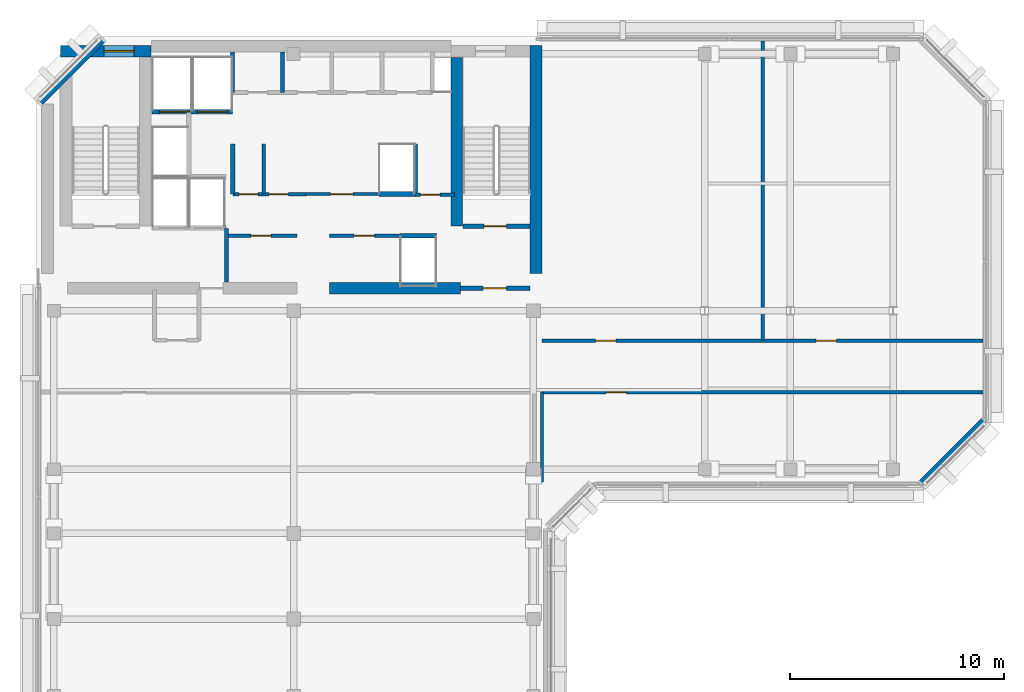
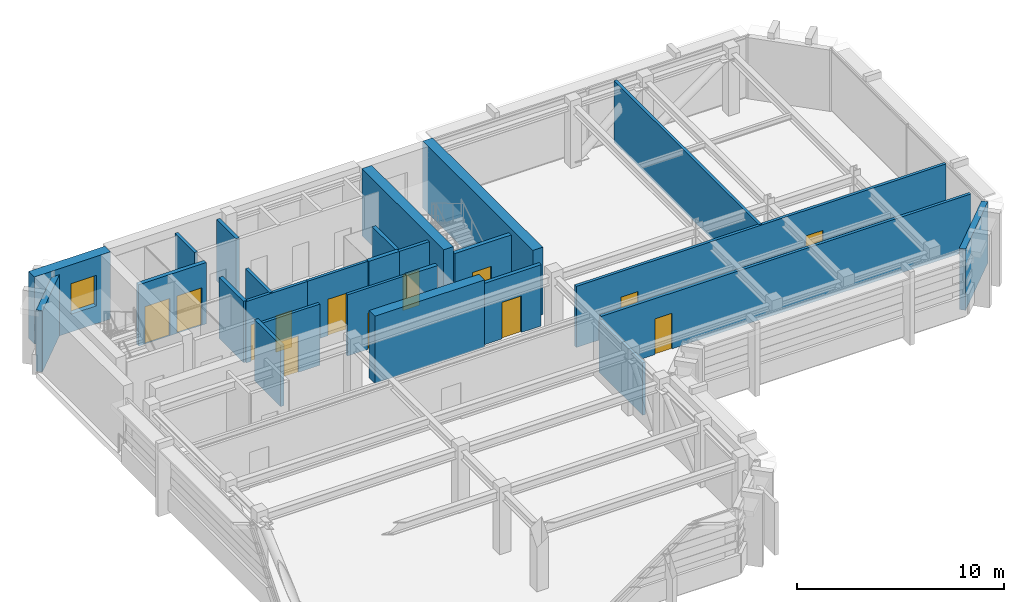
# One storey, part 5 of 9: 26 walls, 13 doors, 1 window, 14 openings.
"""IFC4 building model written with IfcOpenShell, lengths in metres."""

from ifc_helpers import new_model, si_unit, direction, frame, frame_2d, origin, place, context, subcontext, project, spatial, rectangle, extrude, material, layer, layer_set, type_object, element, fill, save


model = new_model("IFC4")

# Units and contexts
model_context = context("Model", 3, precision=1e-05, world=origin(), true_north=direction((0.0, 1.0)))
body_context = subcontext(model_context, "Body", "Model", "MODEL_VIEW")
ifc_project = project(units=[si_unit("LENGTHUNIT", "METRE"), si_unit("AREAUNIT", "SQUARE_METRE"), si_unit("VOLUMEUNIT", "CUBIC_METRE"), si_unit("PLANEANGLEUNIT", "RADIAN"), si_unit("MASSUNIT", "GRAM", prefix="KILO")], contexts=[model_context])

# Site, building, storey
site_placement = place(None, origin())
site = spatial("IfcSite", under=ifc_project, at=site_placement, CompositionType="ELEMENT")
building_placement = place(site_placement, origin())
building = spatial("IfcBuilding", under=site, at=building_placement, Name="Kefirva Bronze Tower", CompositionType="ELEMENT")
storey_placement = place(building_placement, frame((0.0, 0.0, 365.969970703125)))
storey = spatial("IfcBuildingStorey", under=building, at=storey_placement, Name="L89", CompositionType="ELEMENT", Elevation=365.969970703125)

# Wall, opening, door
ifc_material_1 = material(Name="Gypsum acoustic partition")
ifc_layer_1 = layer(ifc_material_1, 0.14990234375, Name="Gypsum acoustic partition")
ifc_layer_set_1 = layer_set([ifc_layer_1], Name="Gypsum acoustic partition")
wall_type_1 = type_object("IfcWallType", Name="Executive Suite Partition 150mm", PredefinedType="PARTITIONING", material=ifc_layer_set_1)
wall_1_placement = place(storey_placement, frame((13.679931640625, 36.699951171875, 0.0), z_axis=(0.0, 0.0, 1.0), x_axis=(1.0, 0.0, 0.0)))
wall_1 = element("IfcWall", 1, at=wall_1_placement, inside=storey, type_object=wall_type_1, Name="L89 Partition W-L89-RECMP1", PredefinedType="PARTITIONING", context=body_context, shape_type="SweptSolid", body=[
    extrude(rectangle(XDim=3.280029296875, YDim=0.14990234375, at=frame_2d((1.64013671875, 0.0))), origin(), (0.0, 0.0, 1.0), 3.610107421875),
])
opening_1_placement = place(wall_1_placement, frame((1.14990234375, 0.0, 0.0)))
opening_1 = element("IfcOpeningElement", 2, at=opening_1_placement, cuts=wall_1, Name="Opening L89-D-RECMP1", PredefinedType="OPENING", context=body_context, shape_type="SweptSolid", body=[
    extrude(rectangle(XDim=0.949951171875, YDim=2.14990234375, at=frame_2d((0.47509765625, 1.074951171875))), frame((0.0, 0.0849609375, 0.0), z_axis=(0.0, -1.0, 0.0), x_axis=(1.0, 0.0, 0.0)), (0.0, 0.0, 1.0), 0.169921875),
])
ifc_material_2 = material(Name="Acoustic hardwood oak", Category="wood")
door_type_1 = type_object("IfcDoorType", Name="Office & Meeting Room Door 950x2150", OperationType="NOTDEFINED", PredefinedType="DOOR", material=ifc_material_2)
door_1_placement = place(opening_1_placement, origin())
door_1 = element("IfcDoor", 3, at=door_1_placement, inside=storey, type_object=door_type_1, Name="Door L89-D-RECMP1", OperationType="SINGLE_SWING_RIGHT", OverallHeight=2.14990234375, OverallWidth=0.949951171875, PredefinedType="DOOR", context=body_context, shape_type="SweptSolid", body=[
    extrude(rectangle(XDim=0.949951171875, YDim=2.14990234375, at=frame_2d((0.47509765625, 1.074951171875))), frame((0.0, 0.02490234375, 0.0), z_axis=(0.0, -1.0, 0.0), x_axis=(1.0, 0.0, 0.0)), (0.0, 0.0, 1.0), 0.050048828125),
])
fill(opening_1, door_1)

wall_2_placement = place(storey_placement, frame((12.580078125, 38.64990234375, 0.0), z_axis=(0.0, 0.0, 1.0), x_axis=(1.0, 0.0, 0.0)))
wall_2 = element("IfcWall", 4, at=wall_2_placement, inside=storey, type_object=wall_type_1, Name="L89 Partition W-L89-RECMP2", PredefinedType="PARTITIONING", context=body_context, shape_type="SweptSolid", body=[
    extrude(rectangle(XDim=3.3798828125, YDim=0.14990234375, at=frame_2d((1.68994140625, 0.0))), origin(), (0.0, 0.0, 1.0), 3.610107421875),
])
opening_2_placement = place(wall_2_placement, frame((2.199951171875, 0.0, 0.0), z_axis=(0.0, 0.0, 1.0), x_axis=(-1.0, 0.0, 0.0)))
opening_2 = element("IfcOpeningElement", 5, at=opening_2_placement, cuts=wall_2, Name="Opening L89-D-RECMP2", PredefinedType="OPENING", context=body_context, shape_type="SweptSolid", body=[
    extrude(rectangle(XDim=1.050048828125, YDim=2.14990234375, at=frame_2d((0.52490234375, 1.074951171875))), frame((0.0, 0.0849609375, 0.0), z_axis=(0.0, -1.0, 0.0), x_axis=(1.0, 0.0, 0.0)), (0.0, 0.0, 1.0), 0.169921875),
])
door_type_2 = type_object("IfcDoorType", Name="Executive & Boardroom Door 1050x2150", OperationType="NOTDEFINED", PredefinedType="DOOR", material=ifc_material_2)
door_2_placement = place(opening_2_placement, origin())
door_2 = element("IfcDoor", 6, at=door_2_placement, inside=storey, type_object=door_type_2, Name="Door L89-D-RECMP2", OperationType="SINGLE_SWING_LEFT", OverallHeight=2.14990234375, OverallWidth=1.050048828125, PredefinedType="DOOR", context=body_context, shape_type="SweptSolid", body=[
    extrude(rectangle(XDim=1.050048828125, YDim=2.14990234375, at=frame_2d((0.52490234375, 1.074951171875))), frame((0.0, 0.02490234375, 0.0), z_axis=(0.0, -1.0, 0.0), x_axis=(1.0, 0.0, 0.0)), (0.0, 0.0, 1.0), 0.050048828125),
])
fill(opening_2, door_2)

ifc_material_3 = material(Name="Gypsum fireboard shaftwall")
ifc_layer_2 = layer(ifc_material_3, 0.219970703125, Name="Gypsum fireboard shaftwall")
ifc_layer_set_2 = layer_set([ifc_layer_2], Name="Gypsum fireboard shaftwall")
wall_type_2 = type_object("IfcWallType", Name="Fire-Rated Shaft Enclosure Wall 220mm", PredefinedType="PARTITIONING", material=ifc_layer_set_2)
wall_3_placement = place(storey_placement, frame((19.89990234375, 37.14990234375, 0.0), z_axis=(0.0, 0.0, 1.0), x_axis=(1.0, 0.0, 0.0)))
wall_3 = element("IfcWall", 7, at=wall_3_placement, inside=storey, type_object=wall_type_2, Name="L89 Partition W-L89-ST2S", PredefinedType="PARTITIONING", context=body_context, shape_type="SweptSolid", body=[
    extrude(rectangle(XDim=3.150146484375, YDim=0.219970703125, at=frame_2d((1.5751953125, 0.0))), origin(), (0.0, 0.0, 1.0), 3.610107421875),
])
opening_3_placement = place(wall_3_placement, frame((2.050048828125, 0.0, 0.0), z_axis=(0.0, 0.0, 1.0), x_axis=(-1.0, 0.0, 0.0)))
opening_3 = element("IfcOpeningElement", 8, at=opening_3_placement, cuts=wall_3, Name="Opening L89-D003", PredefinedType="OPENING", context=body_context, shape_type="SweptSolid", body=[
    extrude(rectangle(XDim=1.050048828125, YDim=2.14990234375, at=frame_2d((0.52490234375, 1.074951171875))), frame((0.0, 0.1201171875, 0.0), z_axis=(0.0, -1.0, 0.0), x_axis=(1.0, 0.0, 0.0)), (0.0, 0.0, 1.0), 0.239990234375),
])
ifc_material_4 = material(Name="Painted galvanized steel", Category="steel")
door_type_3 = type_object("IfcDoorType", Name="Fire Stair Enclosure Door 1050x2150 FD90S", OperationType="NOTDEFINED", PredefinedType="DOOR", material=ifc_material_4)
door_3_placement = place(opening_3_placement, origin())
door_3 = element("IfcDoor", 9, at=door_3_placement, inside=storey, type_object=door_type_3, Name="Door L89-D003", OperationType="SINGLE_SWING_LEFT", OverallHeight=2.14990234375, OverallWidth=1.050048828125, PredefinedType="DOOR", context=body_context, shape_type="SweptSolid", body=[
    extrude(rectangle(XDim=1.050048828125, YDim=2.14990234375, at=frame_2d((0.52490234375, 1.074951171875))), frame((0.0, 0.02490234375, 0.0), z_axis=(0.0, -1.0, 0.0), x_axis=(1.0, 0.0, 0.0)), (0.0, 0.0, 1.0), 0.050048828125),
])
fill(opening_3, door_3)

# Wall, openings, doors
wall_4_placement = place(storey_placement, frame((5.3798828125, 42.5, 0.0), z_axis=(0.0, 0.0, 1.0), x_axis=(1.0, 0.0, 0.0)))
wall_4 = element("IfcWall", 10, at=wall_4_placement, inside=storey, type_object=wall_type_2, Name="L89 Partition W-L89-SVS", PredefinedType="PARTITIONING", context=body_context, shape_type="SweptSolid", body=[
    extrude(rectangle(XDim=3.77001953125, YDim=0.219970703125, at=frame_2d((1.885009765625, 0.0))), origin(), (0.0, 0.0, 1.0), 3.610107421875),
])
opening_4_placement = place(wall_4_placement, frame((1.75, 0.0, 0.0), z_axis=(0.0, 0.0, 1.0), x_axis=(-1.0, 0.0, 0.0)))
opening_4 = element("IfcOpeningElement", 11, at=opening_4_placement, cuts=wall_4, Name="Opening L89-LD-SV1", PredefinedType="OPENING", context=body_context, shape_type="SweptSolid", body=[
    extrude(rectangle(XDim=1.39990234375, YDim=2.199951171875, at=frame_2d((0.699951171875, 1.10009765625))), frame((0.0, 0.1201171875, 0.0), z_axis=(0.0, -1.0, 0.0), x_axis=(1.0, 0.0, 0.0)), (0.0, 0.0, 1.0), 0.239990234375),
])
opening_5_placement = place(wall_4_placement, frame((3.52978515625, 0.0, 0.0), z_axis=(0.0, 0.0, 1.0), x_axis=(-1.0, 0.0, 0.0)))
opening_5 = element("IfcOpeningElement", 12, at=opening_5_placement, cuts=wall_4, Name="Opening L89-LD-SV2", PredefinedType="OPENING", context=body_context, shape_type="SweptSolid", body=[
    extrude(rectangle(XDim=1.39990234375, YDim=2.199951171875, at=frame_2d((0.699951171875, 1.10009765625))), frame((0.0, 0.1201171875, 0.0), z_axis=(0.0, -1.0, 0.0), x_axis=(1.0, 0.0, 0.0)), (0.0, 0.0, 1.0), 0.239990234375),
])
ifc_material_5 = material(Name="Stainless steel 316", Category="steel")
door_type_4 = type_object("IfcDoorType", Name="Goods Lift Bi-Parting Sliding Door 1400x2200", OperationType="SLIDING_TO_LEFT", PredefinedType="DOOR", material=ifc_material_5)
door_4_placement = place(opening_4_placement, origin())
door_4 = element("IfcDoor", 13, at=door_4_placement, inside=storey, type_object=door_type_4, Name="Door L89-LD-SV1", OperationType="SLIDING_TO_LEFT", OverallHeight=2.199951171875, OverallWidth=1.39990234375, PredefinedType="DOOR", context=body_context, shape_type="SweptSolid", body=[
    extrude(rectangle(XDim=1.39990234375, YDim=2.199951171875, at=frame_2d((0.699951171875, 1.10009765625))), frame((0.0, 0.02490234375, 0.0), z_axis=(0.0, -1.0, 0.0), x_axis=(1.0, 0.0, 0.0)), (0.0, 0.0, 1.0), 0.050048828125),
])
fill(opening_4, door_4)
door_5_placement = place(opening_5_placement, origin())
door_5 = element("IfcDoor", 14, at=door_5_placement, inside=storey, type_object=door_type_4, Name="Door L89-LD-SV2", OperationType="SLIDING_TO_LEFT", OverallHeight=2.199951171875, OverallWidth=1.39990234375, PredefinedType="DOOR", context=body_context, shape_type="SweptSolid", body=[
    extrude(rectangle(XDim=1.39990234375, YDim=2.199951171875, at=frame_2d((0.699951171875, 1.10009765625))), frame((0.0, 0.02490234375, 0.0), z_axis=(0.0, -1.0, 0.0), x_axis=(1.0, 0.0, 0.0)), (0.0, 0.0, 1.0), 0.050048828125),
])
fill(opening_5, door_5)

# Walls
for number, where, z_axis, x_axis, name in (
    (15, (9.159912109375, 38.64990234375, 0.0), (0.0, 0.0, 1.0), (0.0, 1.0, 0.0), "L89 Partition W-L89-LP3W"),
    (16, (17.679931640625, 38.64990234375, 0.0), (0.0, 0.0, 1.0), (0.0, 1.0, 0.0), "L89 Partition W-L89-HP2E"),
):
    element("IfcWall", number, at=place(storey_placement, frame(where, z_axis=z_axis, x_axis=x_axis)), inside=storey, type_object=wall_type_2, Name=name, PredefinedType="PARTITIONING", context=body_context, shape_type="SweptSolid", body=[
        extrude(rectangle(XDim=2.35009765625, YDim=0.199951171875, at=frame_2d((1.175048828125, 0.0))), origin(), (0.0, 0.0, 1.0), 3.610107421875),
    ])
wall_5_placement = place(storey_placement, frame((16.97998046875, 36.699951171875, 0.0), z_axis=(0.0, 0.0, 1.0), x_axis=(1.0, 0.0, 0.0)))
element("IfcWall", 17, at=wall_5_placement, inside=storey, type_object=wall_type_2, Name="L89 Partition W-L89-HPS", PredefinedType="PARTITIONING", context=body_context, shape_type="SweptSolid", body=[
    extrude(rectangle(XDim=1.699951171875, YDim=0.219970703125, at=frame_2d((0.85009765625, 0.0))), origin(), (0.0, 0.0, 1.0), 3.610107421875),
])
wall_6_placement = place(storey_placement, frame((15.97998046875, 38.64990234375, 0.0), z_axis=(0.0, 0.0, 1.0), x_axis=(1.0, 0.0, 0.0)))
element("IfcWall", 18, at=wall_6_placement, inside=storey, type_object=wall_type_2, Name="L89 Partition W-L89-HPN", PredefinedType="PARTITIONING", context=body_context, shape_type="SweptSolid", body=[
    extrude(rectangle(XDim=1.719970703125, YDim=0.219970703125, at=frame_2d((0.85986328125, 0.0))), origin(), (0.0, 0.0, 1.0), 3.610107421875),
])
ifc_material_6 = material(Name="Gypsum fireboard barrier")
ifc_layer_3 = layer(ifc_material_6, 0.199951171875, Name="Gypsum fireboard barrier")
ifc_layer_set_3 = layer_set([ifc_layer_3], Name="Gypsum fireboard barrier")
wall_type_3 = type_object("IfcWallType", Name="Firefighting Lobby Barrier Wall 200mm", PredefinedType="PARTITIONING", material=ifc_layer_set_3)
wall_7_placement = place(storey_placement, frame((8.860107421875, 34.550048828125, 0.0), z_axis=(0.0, 0.0, 1.0), x_axis=(0.0, 1.0, 0.0)))
element("IfcWall", 19, at=wall_7_placement, inside=storey, type_object=wall_type_3, Name="L89 Partition W-L89-FFLE", PredefinedType="PARTITIONING", context=body_context, shape_type="SweptSolid", body=[
    extrude(rectangle(XDim=2.5, YDim=0.199951171875, at=frame_2d((1.25, 0.0))), origin(), (0.0, 0.0, 1.0), 3.610107421875),
])

# Wall, opening, door
wall_8_placement = place(storey_placement, frame((19.800048828125, 34.25, 0.0), z_axis=(0.0, 0.0, 1.0), x_axis=(1.0, 0.0, 0.0)))
wall_8 = element("IfcWall", 20, at=wall_8_placement, inside=storey, type_object=wall_type_3, Name="L89 Partition W-L89-ST2F", PredefinedType="PARTITIONING", context=body_context, shape_type="SweptSolid", body=[
    extrude(rectangle(XDim=3.25, YDim=0.199951171875, at=frame_2d((1.625, 0.0))), origin(), (0.0, 0.0, 1.0), 3.610107421875),
])
opening_6_placement = place(wall_8_placement, frame((2.150146484375, 0.0, 0.0), z_axis=(0.0, 0.0, 1.0), x_axis=(-1.0, 0.0, 0.0)))
opening_6 = element("IfcOpeningElement", 21, at=opening_6_placement, cuts=wall_8, Name="Opening L89-D004", PredefinedType="OPENING", context=body_context, shape_type="SweptSolid", body=[
    extrude(rectangle(XDim=1.10009765625, YDim=2.14990234375, at=frame_2d((0.550048828125, 1.074951171875))), frame((0.0, 0.10986328125, 0.0), z_axis=(0.0, -1.0, 0.0), x_axis=(1.0, 0.0, 0.0)), (0.0, 0.0, 1.0), 0.219970703125),
])
door_type_5 = type_object("IfcDoorType", Name="Firefighting Lobby Smoke Door 1100x2150 FD60S", OperationType="NOTDEFINED", PredefinedType="DOOR", material=ifc_material_4)
door_6_placement = place(opening_6_placement, origin())
door_6 = element("IfcDoor", 22, at=door_6_placement, inside=storey, type_object=door_type_5, Name="Door L89-D004", OperationType="SINGLE_SWING_RIGHT", OverallHeight=2.14990234375, OverallWidth=1.10009765625, PredefinedType="DOOR", context=body_context, shape_type="SweptSolid", body=[
    extrude(rectangle(XDim=1.10009765625, YDim=2.14990234375, at=frame_2d((0.550048828125, 1.074951171875))), frame((0.0, 0.02490234375, 0.0), z_axis=(0.0, -1.0, 0.0), x_axis=(1.0, 0.0, 0.0)), (0.0, 0.0, 1.0), 0.050048828125),
])
fill(opening_6, door_6)

wall_9_placement = place(storey_placement, frame((17.679931640625, 38.6201171875, 0.0), z_axis=(0.0, 0.0, 1.0), x_axis=(1.0, 0.0, 0.0)))
wall_9 = element("IfcWall", 23, at=wall_9_placement, inside=storey, type_object=wall_type_3, Name="L89 Partition W-L89-CPASS", PredefinedType="PARTITIONING", context=body_context, shape_type="SweptSolid", body=[
    extrude(rectangle(XDim=1.840087890625, YDim=0.179931640625, at=frame_2d((0.919921875, 0.0))), origin(), (0.0, 0.0, 1.0), 3.610107421875),
])
opening_7_placement = place(wall_9_placement, frame((0.239990234375, 0.0, 0.0)))
opening_7 = element("IfcOpeningElement", 24, at=opening_7_placement, cuts=wall_9, Name="Opening L89-D-CPAS", PredefinedType="OPENING", context=body_context, shape_type="SweptSolid", body=[
    extrude(rectangle(XDim=0.919921875, YDim=2.10009765625, at=frame_2d((0.4599609375, 1.050048828125))), frame((0.0, 0.10009765625, 0.0), z_axis=(0.0, -1.0, 0.0), x_axis=(1.0, 0.0, 0.0)), (0.0, 0.0, 1.0), 0.199951171875),
])
ifc_material_7 = material(Name="Moisture-resistant timber", Category="wood")
door_type_6 = type_object("IfcDoorType", Name="Accessible Sanitary & WC Door 920x2100", OperationType="NOTDEFINED", PredefinedType="DOOR", material=ifc_material_7)
door_7_placement = place(opening_7_placement, origin())
door_7 = element("IfcDoor", 25, at=door_7_placement, inside=storey, type_object=door_type_6, Name="Door L89-D-CPAS", OperationType="SINGLE_SWING_LEFT", OverallHeight=2.10009765625, OverallWidth=0.919921875, PredefinedType="DOOR", context=body_context, shape_type="SweptSolid", body=[
    extrude(rectangle(XDim=0.919921875, YDim=2.10009765625, at=frame_2d((0.4599609375, 1.050048828125))), frame((0.0, 0.02490234375, 0.0), z_axis=(0.0, -1.0, 0.0), x_axis=(1.0, 0.0, 0.0)), (0.0, 0.0, 1.0), 0.050048828125),
])
fill(opening_7, door_7)

# Walls
ifc_material_8 = material(Name="Precast concrete C40/50", Category="concrete")
ifc_layer_4 = layer(ifc_material_8, 0.320068359375, Name="Precast concrete C40/50")
ifc_layer_set_4 = layer_set([ifc_layer_4], Name="Precast concrete C40/50")
wall_type_4 = type_object("IfcWallType", Name="Precast Insulated Exterior Wall 320mm", PredefinedType="SOLIDWALL", material=ifc_layer_set_4)
for number, where, z_axis, x_axis, name in (
    (26, (41.32568359375, 25.152099609375, 0.0), (0.0, 0.0, 1.0), (0.707136318428, 0.707077242712, 0.0), "L89 Exterior Facade Wall 4"),
    (27, (3.07421875, 45.847900390625, 0.0), (0.0, 0.0, 1.0), (-0.707106781187, -0.707106781187, 0.0), "L89 Exterior Facade Wall 6"),
):
    element("IfcWall", number, at=place(storey_placement, frame(where, z_axis=z_axis, x_axis=x_axis)), inside=storey, type_object=wall_type_4, Name=name, PredefinedType="SOLIDWALL", context=body_context, shape_type="SweptSolid", body=[
        extrude(rectangle(XDim=4.132568359375, YDim=0.320068359375, at=frame_2d((2.06640625, 0.0))), origin(), (0.0, 0.0, 1.0), 3.610107421875),
    ])

# Wall, opening, door
ifc_layer_5 = layer(ifc_material_1, 0.159912109375, Name="Gypsum acoustic partition")
ifc_layer_set_5 = layer_set([ifc_layer_5], Name="Gypsum acoustic partition")
wall_type_5 = type_object("IfcWallType", Name="Protected Corridor Partition 160mm", PredefinedType="PARTITIONING", material=ifc_layer_set_5)
wall_10_placement = place(storey_placement, frame((8.89990234375, 36.699951171875, 0.0), z_axis=(0.0, 0.0, 1.0), x_axis=(1.0, 0.0, 0.0)))
wall_10 = element("IfcWall", 28, at=wall_10_placement, inside=storey, type_object=wall_type_5, Name="L89 Partition W-L89-RECLP1", PredefinedType="PARTITIONING", context=body_context, shape_type="SweptSolid", body=[
    extrude(rectangle(XDim=3.25, YDim=0.159912109375, at=frame_2d((1.625, 0.0))), origin(), (0.0, 0.0, 1.0), 3.610107421875),
])
opening_8_placement = place(wall_10_placement, frame((1.10009765625, 0.0, 0.0)))
opening_8 = element("IfcOpeningElement", 29, at=opening_8_placement, cuts=wall_10, Name="Opening L89-D-RECLP1", PredefinedType="OPENING", context=body_context, shape_type="SweptSolid", body=[
    extrude(rectangle(XDim=0.949951171875, YDim=2.14990234375, at=frame_2d((0.47509765625, 1.074951171875))), frame((0.0, 0.08984375, 0.0), z_axis=(0.0, -1.0, 0.0), x_axis=(1.0, 0.0, 0.0)), (0.0, 0.0, 1.0), 0.179931640625),
])
door_8_placement = place(opening_8_placement, origin())
door_8 = element("IfcDoor", 30, at=door_8_placement, inside=storey, type_object=door_type_1, Name="Door L89-D-RECLP1", OperationType="SINGLE_SWING_LEFT", OverallHeight=2.14990234375, OverallWidth=0.949951171875, PredefinedType="DOOR", context=body_context, shape_type="SweptSolid", body=[
    extrude(rectangle(XDim=0.949951171875, YDim=2.14990234375, at=frame_2d((0.47509765625, 1.074951171875))), frame((0.0, 0.02490234375, 0.0), z_axis=(0.0, -1.0, 0.0), x_axis=(1.0, 0.0, 0.0)), (0.0, 0.0, 1.0), 0.050048828125),
])
fill(opening_8, door_8)

# Wall, openings, doors
wall_11_placement = place(storey_placement, frame((9.159912109375, 38.64990234375, 0.0), z_axis=(0.0, 0.0, 1.0), x_axis=(1.0, 0.0, 0.0)))
wall_11 = element("IfcWall", 31, at=wall_11_placement, inside=storey, type_object=wall_type_5, Name="L89 Partition W-L89-RECLP2", PredefinedType="PARTITIONING", context=body_context, shape_type="SweptSolid", body=[
    extrude(rectangle(XDim=3.420166015625, YDim=0.159912109375, at=frame_2d((1.7099609375, 0.0))), origin(), (0.0, 0.0, 1.0), 3.610107421875),
])
opening_9_placement = place(wall_11_placement, frame((1.179931640625, 0.0, 0.0), z_axis=(0.0, 0.0, 1.0), x_axis=(-1.0, 0.0, 0.0)))
opening_9 = element("IfcOpeningElement", 32, at=opening_9_placement, cuts=wall_11, Name="Opening L89-D-RECLP2A", PredefinedType="OPENING", context=body_context, shape_type="SweptSolid", body=[
    extrude(rectangle(XDim=0.89990234375, YDim=2.14990234375, at=frame_2d((0.449951171875, 1.074951171875))), frame((0.0, 0.08984375, 0.0), z_axis=(0.0, -1.0, 0.0), x_axis=(1.0, 0.0, 0.0)), (0.0, 0.0, 1.0), 0.179931640625),
])
opening_10_placement = place(wall_11_placement, frame((2.599853515625, 0.0, 0.0), z_axis=(0.0, 0.0, 1.0), x_axis=(-1.0, 0.0, 0.0)))
opening_10 = element("IfcOpeningElement", 33, at=opening_10_placement, cuts=wall_11, Name="Opening L89-D-RECLP2B", PredefinedType="OPENING", context=body_context, shape_type="SweptSolid", body=[
    extrude(rectangle(XDim=0.89990234375, YDim=2.14990234375, at=frame_2d((0.449951171875, 1.074951171875))), frame((0.0, 0.08984375, 0.0), z_axis=(0.0, -1.0, 0.0), x_axis=(1.0, 0.0, 0.0)), (0.0, 0.0, 1.0), 0.179931640625),
])
door_type_7 = type_object("IfcDoorType", Name="Core Archive & Server Fire Door 900x2150 FD60S", OperationType="NOTDEFINED", PredefinedType="DOOR", material=ifc_material_4)
door_9_placement = place(opening_9_placement, origin())
door_9 = element("IfcDoor", 34, at=door_9_placement, inside=storey, type_object=door_type_7, Name="Door L89-D-RECLP2A", OperationType="SINGLE_SWING_RIGHT", OverallHeight=2.14990234375, OverallWidth=0.89990234375, PredefinedType="DOOR", context=body_context, shape_type="SweptSolid", body=[
    extrude(rectangle(XDim=0.89990234375, YDim=2.14990234375, at=frame_2d((0.449951171875, 1.074951171875))), frame((0.0, 0.02490234375, 0.0), z_axis=(0.0, -1.0, 0.0), x_axis=(1.0, 0.0, 0.0)), (0.0, 0.0, 1.0), 0.050048828125),
])
fill(opening_9, door_9)
door_10_placement = place(opening_10_placement, origin())
door_10 = element("IfcDoor", 35, at=door_10_placement, inside=storey, type_object=door_type_7, Name="Door L89-D-RECLP2B", OperationType="SINGLE_SWING_LEFT", OverallHeight=2.14990234375, OverallWidth=0.89990234375, PredefinedType="DOOR", context=body_context, shape_type="SweptSolid", body=[
    extrude(rectangle(XDim=0.89990234375, YDim=2.14990234375, at=frame_2d((0.449951171875, 1.074951171875))), frame((0.0, 0.02490234375, 0.0), z_axis=(0.0, -1.0, 0.0), x_axis=(1.0, 0.0, 0.0)), (0.0, 0.0, 1.0), 0.050048828125),
])
fill(opening_10, door_10)

# Wall
wall_12_placement = place(storey_placement, frame((10.60009765625, 38.64990234375, 0.0), z_axis=(0.0, 0.0, 1.0), x_axis=(0.0, 1.0, 0.0)))
element("IfcWall", 36, at=wall_12_placement, inside=storey, type_object=wall_type_5, Name="L89 Partition W-L89-RECLP2D", PredefinedType="PARTITIONING", context=body_context, shape_type="SweptSolid", body=[
    extrude(rectangle(XDim=2.35009765625, YDim=0.159912109375, at=frame_2d((1.175048828125, 0.0))), origin(), (0.0, 0.0, 1.0), 3.610107421875),
])

# Wall, openings, doors
wall_13_placement = place(storey_placement, frame((23.60009765625, 31.800048828125, 0.0), z_axis=(0.0, 0.0, 1.0), x_axis=(1.0, 0.0, 0.0)))
wall_13 = element("IfcWall", 37, at=wall_13_placement, inside=storey, type_object=wall_type_5, Name="L89 Partition W-L89-PLTE", PredefinedType="PARTITIONING", context=body_context, shape_type="SweptSolid", body=[
    extrude(rectangle(XDim=20.60986328125, YDim=0.159912109375, at=frame_2d((10.304931640625, 0.0))), origin(), (0.0, 0.0, 1.0), 3.610107421875),
])
opening_11_placement = place(wall_13_placement, frame((2.5, 0.0, 0.0)))
opening_11 = element("IfcOpeningElement", 38, at=opening_11_placement, cuts=wall_13, Name="Opening L89-D-AHU", PredefinedType="OPENING", context=body_context, shape_type="SweptSolid", body=[
    extrude(rectangle(XDim=0.949951171875, YDim=2.10009765625, at=frame_2d((0.47509765625, 1.050048828125))), frame((0.0, 0.08984375, 0.0), z_axis=(0.0, -1.0, 0.0), x_axis=(1.0, 0.0, 0.0)), (0.0, 0.0, 1.0), 0.179931640625),
])
opening_12_placement = place(wall_13_placement, frame((12.804931640625, 0.0, 0.0)))
opening_12 = element("IfcOpeningElement", 39, at=opening_12_placement, cuts=wall_13, Name="Opening L89-D-ELP", PredefinedType="OPENING", context=body_context, shape_type="SweptSolid", body=[
    extrude(rectangle(XDim=0.949951171875, YDim=2.10009765625, at=frame_2d((0.47509765625, 1.050048828125))), frame((0.0, 0.08984375, 0.0), z_axis=(0.0, -1.0, 0.0), x_axis=(1.0, 0.0, 0.0)), (0.0, 0.0, 1.0), 0.179931640625),
])
door_type_8 = type_object("IfcDoorType", Name="Riser & Plant Shaft Fire Door 950x2100 FD60S", OperationType="NOTDEFINED", PredefinedType="DOOR", material=ifc_material_4)
door_11_placement = place(opening_11_placement, origin())
door_11 = element("IfcDoor", 40, at=door_11_placement, inside=storey, type_object=door_type_8, Name="Door L89-D-AHU", OperationType="SINGLE_SWING_RIGHT", OverallHeight=2.10009765625, OverallWidth=0.949951171875, PredefinedType="DOOR", context=body_context, shape_type="SweptSolid", body=[
    extrude(rectangle(XDim=0.949951171875, YDim=2.10009765625, at=frame_2d((0.47509765625, 1.050048828125))), frame((0.0, 0.02490234375, 0.0), z_axis=(0.0, -1.0, 0.0), x_axis=(1.0, 0.0, 0.0)), (0.0, 0.0, 1.0), 0.050048828125),
])
fill(opening_11, door_11)
door_12_placement = place(opening_12_placement, origin())
door_12 = element("IfcDoor", 41, at=door_12_placement, inside=storey, type_object=door_type_8, Name="Door L89-D-ELP", OperationType="SINGLE_SWING_LEFT", OverallHeight=2.10009765625, OverallWidth=0.949951171875, PredefinedType="DOOR", context=body_context, shape_type="SweptSolid", body=[
    extrude(rectangle(XDim=0.949951171875, YDim=2.10009765625, at=frame_2d((0.47509765625, 1.050048828125))), frame((0.0, 0.02490234375, 0.0), z_axis=(0.0, -1.0, 0.0), x_axis=(1.0, 0.0, 0.0)), (0.0, 0.0, 1.0), 0.050048828125),
])
fill(opening_12, door_12)

# Wall
wall_14_placement = place(storey_placement, frame((33.905029296875, 31.800048828125, 0.0), z_axis=(0.0, 0.0, 1.0), x_axis=(0.0, 1.0, 0.0)))
element("IfcWall", 42, at=wall_14_placement, inside=storey, type_object=wall_type_5, Name="L89 Partition W-L89-PLTDV", PredefinedType="PARTITIONING", context=body_context, shape_type="SweptSolid", body=[
    extrude(rectangle(XDim=14.010009765625, YDim=0.159912109375, at=frame_2d((7.0048828125, 0.0))), origin(), (0.0, 0.0, 1.0), 3.610107421875),
])

# Wall, opening, door
wall_15_placement = place(storey_placement, frame((23.60009765625, 29.39990234375, 0.0), z_axis=(0.0, 0.0, 1.0), x_axis=(1.0, 0.0, 0.0)))
wall_15 = element("IfcWall", 43, at=wall_15_placement, inside=storey, type_object=wall_type_5, Name="L89 Partition W-L89-PLTS", PredefinedType="PARTITIONING", context=body_context, shape_type="SweptSolid", body=[
    extrude(rectangle(XDim=20.60986328125, YDim=0.159912109375, at=frame_2d((10.304931640625, 0.0))), origin(), (0.0, 0.0, 1.0), 3.294921875),
])
opening_13_placement = place(wall_15_placement, frame((3.0, 0.0, 0.0)))
opening_13 = element("IfcOpeningElement", 44, at=opening_13_placement, cuts=wall_15, Name="Opening L89-D-BMS", PredefinedType="OPENING", context=body_context, shape_type="SweptSolid", body=[
    extrude(rectangle(XDim=0.949951171875, YDim=2.10009765625, at=frame_2d((0.47509765625, 1.050048828125))), frame((0.0, 0.08984375, 0.0), z_axis=(0.0, -1.0, 0.0), x_axis=(1.0, 0.0, 0.0)), (0.0, 0.0, 1.0), 0.179931640625),
])
door_13_placement = place(opening_13_placement, origin())
door_13 = element("IfcDoor", 45, at=door_13_placement, inside=storey, type_object=door_type_8, Name="Door L89-D-BMS", OperationType="SINGLE_SWING_RIGHT", OverallHeight=2.10009765625, OverallWidth=0.949951171875, PredefinedType="DOOR", context=body_context, shape_type="SweptSolid", body=[
    extrude(rectangle(XDim=0.949951171875, YDim=2.10009765625, at=frame_2d((0.47509765625, 1.050048828125))), frame((0.0, 0.02490234375, 0.0), z_axis=(0.0, -1.0, 0.0), x_axis=(1.0, 0.0, 0.0)), (0.0, 0.0, 1.0), 0.050048828125),
])
fill(opening_13, door_13)

# Wall
wall_16_placement = place(storey_placement, frame((23.60009765625, 25.18994140625, 0.0), z_axis=(0.0, 0.0, 1.0), x_axis=(0.0, 1.0, 0.0)))
element("IfcWall", 46, at=wall_16_placement, inside=storey, type_object=wall_type_5, Name="L89 Partition W-L89-PLTSW", PredefinedType="PARTITIONING", context=body_context, shape_type="SweptSolid", body=[
    extrude(rectangle(XDim=4.2099609375, YDim=0.159912109375, at=frame_2d((2.10498046875, 0.0))), origin(), (0.0, 0.0, 1.0), 3.094970703125),
])

# Wall, opening, window
ifc_material_9 = material(Name="Concrete C50/60", Category="concrete")
ifc_layer_6 = layer(ifc_material_9, 0.550048828125, Name="Concrete C50/60")
ifc_layer_set_6 = layer_set([ifc_layer_6], Name="Concrete C50/60")
wall_type_6 = type_object("IfcWallType", Name="RC Rear Core Exterior Wall 550mm", PredefinedType="SHEAR", material=ifc_layer_set_6)
wall_17_placement = place(storey_placement, frame((1.10009765625, 45.320068359375, 0.0), z_axis=(0.0, 0.0, 1.0), x_axis=(1.0, 0.0, 0.0)))
wall_17 = element("IfcWall", 47, at=wall_17_placement, inside=storey, type_object=wall_type_6, Name="L89 Stair 1 North Shear Wall", PredefinedType="SHEAR", context=body_context, shape_type="SweptSolid", body=[
    extrude(rectangle(XDim=4.239990234375, YDim=0.550048828125, at=frame_2d((2.1201171875, 0.0))), origin(), (0.0, 0.0, 1.0), 3.9599609375),
])
opening_14_placement = place(wall_17_placement, frame((2.050048828125, 0.0, 1.050048828125)))
opening_14 = element("IfcOpeningElement", 48, at=opening_14_placement, cuts=wall_17, Name="Opening WN-03", PredefinedType="OPENING", context=body_context, shape_type="SweptSolid", body=[
    extrude(rectangle(XDim=1.39990234375, YDim=1.800048828125, at=frame_2d((0.699951171875, 0.89990234375))), frame((0.0, 0.28515625, 0.0), z_axis=(0.0, -1.0, 0.0), x_axis=(1.0, 0.0, 0.0)), (0.0, 0.0, 1.0), 0.570068359375),
])
ifc_material_10 = material(Name="Laminated low-E double glazing", Category="glass")
window_type = type_object("IfcWindowType", Name="Rear-Core Stair Daylight Window 1400x1800", PartitioningType="SINGLE_PANEL", PredefinedType="WINDOW", material=ifc_material_10)
window_placement = place(opening_14_placement, origin())
window = element("IfcWindow", 49, at=window_placement, inside=storey, type_object=window_type, Name="L89 Stair 1 Daylight Window", OverallHeight=1.800048828125, OverallWidth=1.39990234375, PartitioningType="SINGLE_PANEL", PredefinedType="WINDOW", context=body_context, shape_type="SweptSolid", body=[
    extrude(rectangle(XDim=1.39990234375, YDim=1.800048828125, at=frame_2d((0.699951171875, 0.89990234375))), frame((0.0, 0.030029296875, 0.0), z_axis=(0.0, -1.0, 0.0), x_axis=(1.0, 0.0, 0.0)), (0.0, 0.0, 1.0), 0.06005859375),
])
fill(opening_14, window)

# Walls
ifc_layer_7 = layer(ifc_material_9, 0.550048828125, Name="Concrete C50/60")
ifc_layer_set_7 = layer_set([ifc_layer_7], Name="Concrete C50/60")
wall_type_7 = type_object("IfcWallType", Name="RC Rear Core Interior Wall 550mm", PredefinedType="SHEAR", material=ifc_layer_set_7)
wall_18_placement = place(storey_placement, frame((23.324951171875, 34.949951171875, 0.0), z_axis=(0.0, 0.0, 1.0), x_axis=(0.0, 1.0, 0.0)))
element("IfcWall", 50, at=wall_18_placement, inside=storey, type_object=wall_type_7, Name="L89 Rear Core East Shear Wall", PredefinedType="SHEAR", context=body_context, shape_type="SweptSolid", body=[
    extrude(rectangle(XDim=10.64013671875, YDim=0.550048828125, at=frame_2d((5.320068359375, 0.0))), origin(), (0.0, 0.0, 1.0), 3.9599609375),
])
wall_19_placement = place(storey_placement, frame((13.679931640625, 34.25, 0.0), z_axis=(0.0, 0.0, 1.0), x_axis=(1.0, 0.0, 0.0)))
element("IfcWall", 51, at=wall_19_placement, inside=storey, type_object=wall_type_7, Name="L89 Rear Core South-East Shear Wall", PredefinedType="SHEAR", context=body_context, shape_type="SweptSolid", body=[
    extrude(rectangle(XDim=6.1201171875, YDim=0.550048828125, at=frame_2d((3.06005859375, 0.0))), origin(), (0.0, 0.0, 1.0), 3.9599609375),
])
wall_20_placement = place(storey_placement, frame((19.6201171875, 37.14990234375, 0.0), z_axis=(0.0, 0.0, 1.0), x_axis=(0.0, 1.0, 0.0)))
element("IfcWall", 52, at=wall_20_placement, inside=storey, type_object=wall_type_7, Name="L89 Stair 2 West Shear Wall", PredefinedType="SHEAR", context=body_context, shape_type="SweptSolid", body=[
    extrude(rectangle(XDim=7.89013671875, YDim=0.550048828125, at=frame_2d((3.945068359375, 0.0))), origin(), (0.0, 0.0, 1.0), 3.9599609375),
])
ifc_material_11 = material(Name="Moisture-resistant partition")
ifc_layer_8 = layer(ifc_material_11, 0.179931640625, Name="Moisture-resistant partition")
ifc_layer_set_8 = layer_set([ifc_layer_8], Name="Moisture-resistant partition")
wall_type_8 = type_object("IfcWallType", Name="Sanitary Plumbing Chase Wall 180mm", PredefinedType="PLUMBINGWALL", material=ifc_layer_set_8)
for number, where, z_axis, x_axis, name in (
    (53, (9.14990234375, 43.39990234375, 0.0), (0.0, 0.0, 1.0), (0.0, 1.0, 0.0), "L89 Partition W-L89-SVCW"),
    (54, (11.47998046875, 43.39990234375, 0.0), (0.0, 0.0, 1.0), (0.0, 1.0, 0.0), "L89 Partition W-L89-CSVD-1"),
):
    element("IfcWall", number, at=place(storey_placement, frame(where, z_axis=z_axis, x_axis=x_axis)), inside=storey, type_object=wall_type_8, Name=name, PredefinedType="PLUMBINGWALL", context=body_context, shape_type="SweptSolid", body=[
        extrude(rectangle(XDim=1.880126953125, YDim=0.179931640625, at=frame_2d((0.93994140625, 0.0))), origin(), (0.0, 0.0, 1.0), 3.610107421875),
    ])

save(model, "model.ifc")
